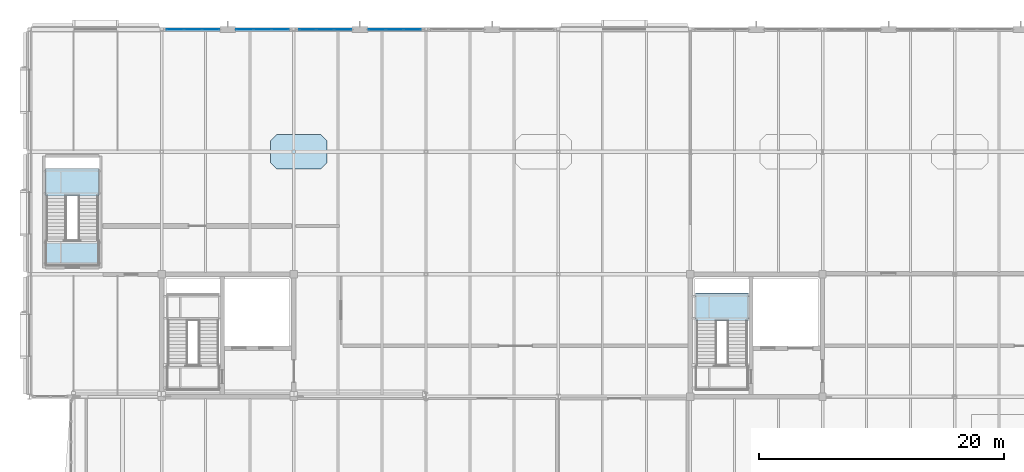
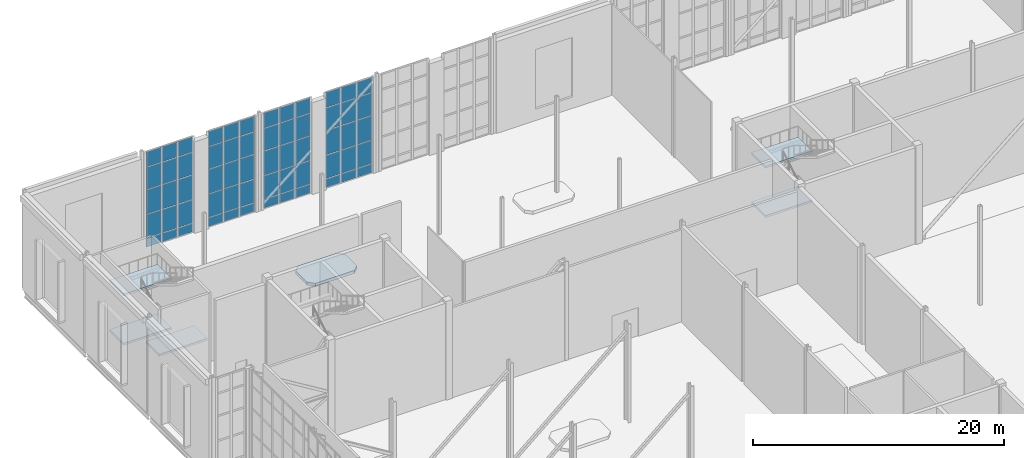
# One storey, part 70 of 100: 60 plates, 6 slabs, 6 elements without a shape of their own.
"""IFC4 building model written with IfcOpenShell, lengths in metres."""

from ifc_helpers import new_model, si_unit, direction, frame, origin, origin_2d, place, context, subcontext, project, spatial, polyline, rectangle, outline, extrude, material, layer, layer_set, type_object, element, aggregate, save


model = new_model("IFC4")

# Units and contexts
model_context = context("Model", 3, precision=1e-05, world=origin(), true_north=direction((0.0, 1.0)))
body_context = subcontext(model_context, "Body", "Model", "MODEL_VIEW")
ifc_project = project(units=[si_unit("LENGTHUNIT", "METRE"), si_unit("AREAUNIT", "SQUARE_METRE"), si_unit("VOLUMEUNIT", "CUBIC_METRE"), si_unit("PLANEANGLEUNIT", "RADIAN"), si_unit("MASSUNIT", "GRAM", prefix="KILO")], contexts=[model_context])

# Site, building, storey
site_placement = place(None, origin())
site = spatial("IfcSite", under=ifc_project, at=site_placement, CompositionType="ELEMENT")
building_placement = place(site_placement, origin())
building = spatial("IfcBuilding", under=site, at=building_placement, Name="Tasgan Crest Museum", CompositionType="ELEMENT")
storey_placement = place(building_placement, frame((0.0, 0.0, 14.39990234375)))
storey = spatial("IfcBuildingStorey", under=building, at=storey_placement, Name="L03", CompositionType="ELEMENT", Elevation=14.39990234375)

# Curtain wall, plates
ifc_material_1 = material(Name="Triple-Glazed Aluminium Curtain Wall", Category="aluminium")
ifc_layer_1 = layer(ifc_material_1, 0.179931640625, Name="CW-GAL-X-96")
ifc_layer_set_1 = layer_set([ifc_layer_1], Name="Triple-Glazed Aluminium Curtain Wall")
curtain_wall_type_1 = type_object("IfcCurtainWallType", Name="CW-GAL-X-96", PredefinedType="NOTDEFINED", material=ifc_layer_set_1)
curtain_wall_1_placement = place(storey_placement, origin())
curtain_wall_1 = element("IfcCurtainWall", 1, at=curtain_wall_1_placement, inside=storey, type_object=curtain_wall_type_1, Name="Curtain wall L03 133", PredefinedType="NOTDEFINED")
ifc_material_2 = material(Name="Insulated Spandrel Glass", Category="glass")
ifc_layer_2 = layer(ifc_material_2, 0.052001953125, Name="CW-PANEL-SPANDREL")
ifc_layer_set_2 = layer_set([ifc_layer_2], Name="Insulated Spandrel Glass")
plate_type_1 = type_object("IfcPlateType", Name="CW-PANEL-SPANDREL", PredefinedType="CURTAIN_PANEL", material=ifc_layer_set_2)
plate_1_placement = place(storey_placement, frame((31.288330078125, 112.0, 0.06005859375), z_axis=(0.0, 0.0, 1.0), x_axis=(-1.0, 0.0, 0.0)))
plate_1 = element("IfcPlate", 2, at=plate_1_placement, type_object=plate_type_1, Name="CW14 panel 1.1", PredefinedType="CURTAIN_PANEL", context=body_context, shape_type="SweptSolid", body=[
    extrude(rectangle(XDim=1.373291015625, YDim=0.028076171875, at=origin_2d()), origin(), (0.0, 0.0, 1.0), 0.81005859375),
])
plate_2_placement = place(storey_placement, frame((29.840087890625, 112.0, 0.06005859375), z_axis=(0.0, 0.0, 1.0), x_axis=(-1.0, 0.0, 0.0)))
plate_2 = element("IfcPlate", 3, at=plate_2_placement, type_object=plate_type_1, Name="CW14 panel 2.1", PredefinedType="CURTAIN_PANEL", context=body_context, shape_type="SweptSolid", body=[
    extrude(rectangle(XDim=1.4033203125, YDim=0.028076171875, at=origin_2d()), origin(), (0.0, 0.0, 1.0), 0.81005859375),
])
plate_3_placement = place(storey_placement, frame((28.3916015625, 112.0, 0.06005859375), z_axis=(0.0, 0.0, 1.0), x_axis=(-1.0, 0.0, 0.0)))
plate_3 = element("IfcPlate", 4, at=plate_3_placement, type_object=plate_type_1, Name="CW14 panel 3.1", PredefinedType="CURTAIN_PANEL", context=body_context, shape_type="SweptSolid", body=[
    extrude(rectangle(XDim=1.373291015625, YDim=0.028076171875, at=origin_2d()), origin(), (0.0, 0.0, 1.0), 0.81005859375),
])

curtain_wall_2_placement = place(storey_placement, origin())
curtain_wall_2 = element("IfcCurtainWall", 5, at=curtain_wall_2_placement, inside=storey, type_object=curtain_wall_type_1, Name="Curtain wall L03 134", PredefinedType="NOTDEFINED")
plate_4_placement = place(storey_placement, frame((25.6083984375, 112.0, 0.06005859375), z_axis=(0.0, 0.0, 1.0), x_axis=(-1.0, 0.0, 0.0)))
plate_4 = element("IfcPlate", 6, at=plate_4_placement, type_object=plate_type_1, Name="CW14 panel 1.1", PredefinedType="CURTAIN_PANEL", context=body_context, shape_type="SweptSolid", body=[
    extrude(rectangle(XDim=1.373291015625, YDim=0.028076171875, at=origin_2d()), origin(), (0.0, 0.0, 1.0), 0.81005859375),
])
plate_5_placement = place(storey_placement, frame((24.159912109375, 112.0, 0.06005859375), z_axis=(0.0, 0.0, 1.0), x_axis=(-1.0, 0.0, 0.0)))
plate_5 = element("IfcPlate", 7, at=plate_5_placement, type_object=plate_type_1, Name="CW14 panel 2.1", PredefinedType="CURTAIN_PANEL", context=body_context, shape_type="SweptSolid", body=[
    extrude(rectangle(XDim=1.4033203125, YDim=0.028076171875, at=origin_2d()), origin(), (0.0, 0.0, 1.0), 0.81005859375),
])
plate_6_placement = place(storey_placement, frame((22.711669921875, 112.0, 0.06005859375), z_axis=(0.0, 0.0, 1.0), x_axis=(-1.0, 0.0, 0.0)))
plate_6 = element("IfcPlate", 8, at=plate_6_placement, type_object=plate_type_1, Name="CW14 panel 3.1", PredefinedType="CURTAIN_PANEL", context=body_context, shape_type="SweptSolid", body=[
    extrude(rectangle(XDim=1.373291015625, YDim=0.028076171875, at=origin_2d()), origin(), (0.0, 0.0, 1.0), 0.81005859375),
])

ifc_material_3 = material(Name="Triple-Glazed Aluminium Curtain Wall", Category="aluminium")
ifc_layer_3 = layer(ifc_material_3, 0.179931640625, Name="CW-CORE-STRIP-96")
ifc_layer_set_3 = layer_set([ifc_layer_3], Name="Triple-Glazed Aluminium Curtain Wall")
curtain_wall_type_2 = type_object("IfcCurtainWallType", Name="CW-CORE-STRIP-96", PredefinedType="NOTDEFINED", material=ifc_layer_set_3)
curtain_wall_3_placement = place(storey_placement, origin())
curtain_wall_3 = element("IfcCurtainWall", 9, at=curtain_wall_3_placement, inside=storey, type_object=curtain_wall_type_2, Name="Curtain wall L03 135", PredefinedType="NOTDEFINED")
plate_7_placement = place(storey_placement, frame((20.48828125, 112.0, 0.06005859375), z_axis=(0.0, 0.0, 1.0), x_axis=(-1.0, 0.0, 0.0)))
plate_7 = element("IfcPlate", 10, at=plate_7_placement, type_object=plate_type_1, Name="CW20 panel 1.1", PredefinedType="CURTAIN_PANEL", context=body_context, shape_type="SweptSolid", body=[
    extrude(rectangle(XDim=1.373291015625, YDim=0.028076171875, at=origin_2d()), origin(), (0.0, 0.0, 1.0), 0.81005859375),
])
plate_8_placement = place(storey_placement, frame((19.0400390625, 112.0, 0.06005859375), z_axis=(0.0, 0.0, 1.0), x_axis=(-1.0, 0.0, 0.0)))
plate_8 = element("IfcPlate", 11, at=plate_8_placement, type_object=plate_type_1, Name="CW20 panel 2.1", PredefinedType="CURTAIN_PANEL", context=body_context, shape_type="SweptSolid", body=[
    extrude(rectangle(XDim=1.4033203125, YDim=0.028076171875, at=origin_2d()), origin(), (0.0, 0.0, 1.0), 0.81005859375),
])
plate_9_placement = place(storey_placement, frame((17.591552734375, 112.0, 0.06005859375), z_axis=(0.0, 0.0, 1.0), x_axis=(-1.0, 0.0, 0.0)))
plate_9 = element("IfcPlate", 12, at=plate_9_placement, type_object=plate_type_1, Name="CW20 panel 3.1", PredefinedType="CURTAIN_PANEL", context=body_context, shape_type="SweptSolid", body=[
    extrude(rectangle(XDim=1.373291015625, YDim=0.028076171875, at=origin_2d()), origin(), (0.0, 0.0, 1.0), 0.81005859375),
])

curtain_wall_4_placement = place(storey_placement, origin())
curtain_wall_4 = element("IfcCurtainWall", 13, at=curtain_wall_4_placement, inside=storey, type_object=curtain_wall_type_2, Name="Curtain wall L03 136", PredefinedType="NOTDEFINED")
plate_10_placement = place(storey_placement, frame((14.808349609375, 112.0, 0.06005859375), z_axis=(0.0, 0.0, 1.0), x_axis=(-1.0, 0.0, 0.0)))
plate_10 = element("IfcPlate", 14, at=plate_10_placement, type_object=plate_type_1, Name="CW20 panel 1.1", PredefinedType="CURTAIN_PANEL", context=body_context, shape_type="SweptSolid", body=[
    extrude(rectangle(XDim=1.373291015625, YDim=0.028076171875, at=origin_2d()), origin(), (0.0, 0.0, 1.0), 0.81005859375),
])
plate_11_placement = place(storey_placement, frame((13.360107421875, 112.0, 0.06005859375), z_axis=(0.0, 0.0, 1.0), x_axis=(-1.0, 0.0, 0.0)))
plate_11 = element("IfcPlate", 15, at=plate_11_placement, type_object=plate_type_1, Name="CW20 panel 2.1", PredefinedType="CURTAIN_PANEL", context=body_context, shape_type="SweptSolid", body=[
    extrude(rectangle(XDim=1.4033203125, YDim=0.028076171875, at=origin_2d()), origin(), (0.0, 0.0, 1.0), 0.81005859375),
])
plate_12_placement = place(storey_placement, frame((11.91162109375, 112.0, 0.06005859375), z_axis=(0.0, 0.0, 1.0), x_axis=(-1.0, 0.0, 0.0)))
plate_12 = element("IfcPlate", 16, at=plate_12_placement, type_object=plate_type_1, Name="CW20 panel 3.1", PredefinedType="CURTAIN_PANEL", context=body_context, shape_type="SweptSolid", body=[
    extrude(rectangle(XDim=1.373291015625, YDim=0.028076171875, at=origin_2d()), origin(), (0.0, 0.0, 1.0), 0.81005859375),
])

# Plate
ifc_material_4 = material(Name="Low-E Triple Glazing", Category="glass")
ifc_layer_4 = layer(ifc_material_4, 0.0439453125, Name="CW-PANEL-TRIPLE")
ifc_layer_set_4 = layer_set([ifc_layer_4], Name="Low-E Triple Glazing")
plate_type_2 = type_object("IfcPlateType", Name="CW-PANEL-TRIPLE", PredefinedType="CURTAIN_PANEL", material=ifc_layer_set_4)
plate_13_placement = place(storey_placement, frame((31.288330078125, 112.0, 0.93017578125), z_axis=(0.0, 0.0, 1.0), x_axis=(-1.0, 0.0, 0.0)))
plate_13 = element("IfcPlate", 17, at=plate_13_placement, type_object=plate_type_2, Name="CW14 panel 1.2", PredefinedType="CURTAIN_PANEL", context=body_context, shape_type="SweptSolid", body=[
    extrude(rectangle(XDim=1.373291015625, YDim=0.028076171875, at=origin_2d()), origin(), (0.0, 0.0, 1.0), 2.239990234375),
])

plate_14_placement = place(storey_placement, frame((31.288330078125, 112.0, 3.22998046875), z_axis=(0.0, 0.0, 1.0), x_axis=(-1.0, 0.0, 0.0)))
plate_14 = element("IfcPlate", 18, at=plate_14_placement, type_object=plate_type_2, Name="CW14 panel 1.3", PredefinedType="CURTAIN_PANEL", context=body_context, shape_type="SweptSolid", body=[
    extrude(rectangle(XDim=1.373291015625, YDim=0.028076171875, at=origin_2d()), origin(), (0.0, 0.0, 1.0), 2.340087890625),
])

plate_15_placement = place(storey_placement, frame((31.288330078125, 112.0, 5.63037109375), z_axis=(0.0, 0.0, 1.0), x_axis=(-1.0, 0.0, 0.0)))
plate_15 = element("IfcPlate", 19, at=plate_15_placement, type_object=plate_type_2, Name="CW14 panel 1.4", PredefinedType="CURTAIN_PANEL", context=body_context, shape_type="SweptSolid", body=[
    extrude(rectangle(XDim=1.373291015625, YDim=0.028076171875, at=origin_2d()), origin(), (0.0, 0.0, 1.0), 2.139892578125),
])

plate_16_placement = place(storey_placement, frame((31.288330078125, 112.0, 7.830078125), z_axis=(0.0, 0.0, 1.0), x_axis=(-1.0, 0.0, 0.0)))
plate_16 = element("IfcPlate", 20, at=plate_16_placement, type_object=plate_type_2, Name="CW14 panel 1.5", PredefinedType="CURTAIN_PANEL", context=body_context, shape_type="SweptSolid", body=[
    extrude(rectangle(XDim=1.373291015625, YDim=0.028076171875, at=origin_2d()), origin(), (0.0, 0.0, 1.0), 1.469970703125),
])

plate_17_placement = place(storey_placement, frame((29.840087890625, 112.0, 0.93017578125), z_axis=(0.0, 0.0, 1.0), x_axis=(-1.0, 0.0, 0.0)))
plate_17 = element("IfcPlate", 21, at=plate_17_placement, type_object=plate_type_2, Name="CW14 panel 2.2", PredefinedType="CURTAIN_PANEL", context=body_context, shape_type="SweptSolid", body=[
    extrude(rectangle(XDim=1.4033203125, YDim=0.028076171875, at=origin_2d()), origin(), (0.0, 0.0, 1.0), 2.239990234375),
])

plate_18_placement = place(storey_placement, frame((29.840087890625, 112.0, 3.22998046875), z_axis=(0.0, 0.0, 1.0), x_axis=(-1.0, 0.0, 0.0)))
plate_18 = element("IfcPlate", 22, at=plate_18_placement, type_object=plate_type_2, Name="CW14 panel 2.3", PredefinedType="CURTAIN_PANEL", context=body_context, shape_type="SweptSolid", body=[
    extrude(rectangle(XDim=1.4033203125, YDim=0.028076171875, at=origin_2d()), origin(), (0.0, 0.0, 1.0), 2.340087890625),
])

plate_19_placement = place(storey_placement, frame((29.840087890625, 112.0, 5.63037109375), z_axis=(0.0, 0.0, 1.0), x_axis=(-1.0, 0.0, 0.0)))
plate_19 = element("IfcPlate", 23, at=plate_19_placement, type_object=plate_type_2, Name="CW14 panel 2.4", PredefinedType="CURTAIN_PANEL", context=body_context, shape_type="SweptSolid", body=[
    extrude(rectangle(XDim=1.4033203125, YDim=0.028076171875, at=origin_2d()), origin(), (0.0, 0.0, 1.0), 2.139892578125),
])

plate_20_placement = place(storey_placement, frame((29.840087890625, 112.0, 7.830078125), z_axis=(0.0, 0.0, 1.0), x_axis=(-1.0, 0.0, 0.0)))
plate_20 = element("IfcPlate", 24, at=plate_20_placement, type_object=plate_type_2, Name="CW14 panel 2.5", PredefinedType="CURTAIN_PANEL", context=body_context, shape_type="SweptSolid", body=[
    extrude(rectangle(XDim=1.4033203125, YDim=0.028076171875, at=origin_2d()), origin(), (0.0, 0.0, 1.0), 1.469970703125),
])

plate_21_placement = place(storey_placement, frame((28.3916015625, 112.0, 0.93017578125), z_axis=(0.0, 0.0, 1.0), x_axis=(-1.0, 0.0, 0.0)))
plate_21 = element("IfcPlate", 25, at=plate_21_placement, type_object=plate_type_2, Name="CW14 panel 3.2", PredefinedType="CURTAIN_PANEL", context=body_context, shape_type="SweptSolid", body=[
    extrude(rectangle(XDim=1.373291015625, YDim=0.028076171875, at=origin_2d()), origin(), (0.0, 0.0, 1.0), 2.239990234375),
])

plate_22_placement = place(storey_placement, frame((28.3916015625, 112.0, 3.22998046875), z_axis=(0.0, 0.0, 1.0), x_axis=(-1.0, 0.0, 0.0)))
plate_22 = element("IfcPlate", 26, at=plate_22_placement, type_object=plate_type_2, Name="CW14 panel 3.3", PredefinedType="CURTAIN_PANEL", context=body_context, shape_type="SweptSolid", body=[
    extrude(rectangle(XDim=1.373291015625, YDim=0.028076171875, at=origin_2d()), origin(), (0.0, 0.0, 1.0), 2.340087890625),
])

plate_23_placement = place(storey_placement, frame((28.3916015625, 112.0, 5.63037109375), z_axis=(0.0, 0.0, 1.0), x_axis=(-1.0, 0.0, 0.0)))
plate_23 = element("IfcPlate", 27, at=plate_23_placement, type_object=plate_type_2, Name="CW14 panel 3.4", PredefinedType="CURTAIN_PANEL", context=body_context, shape_type="SweptSolid", body=[
    extrude(rectangle(XDim=1.373291015625, YDim=0.028076171875, at=origin_2d()), origin(), (0.0, 0.0, 1.0), 2.139892578125),
])

plate_24_placement = place(storey_placement, frame((28.3916015625, 112.0, 7.830078125), z_axis=(0.0, 0.0, 1.0), x_axis=(-1.0, 0.0, 0.0)))
plate_24 = element("IfcPlate", 28, at=plate_24_placement, type_object=plate_type_2, Name="CW14 panel 3.5", PredefinedType="CURTAIN_PANEL", context=body_context, shape_type="SweptSolid", body=[
    extrude(rectangle(XDim=1.373291015625, YDim=0.028076171875, at=origin_2d()), origin(), (0.0, 0.0, 1.0), 1.469970703125),
])

aggregate(curtain_wall_1, [plate_1, plate_13, plate_14, plate_15, plate_16, plate_2, plate_17, plate_18, plate_19, plate_20, plate_3, plate_21, plate_22, plate_23, plate_24])

plate_25_placement = place(storey_placement, frame((25.6083984375, 112.0, 0.93017578125), z_axis=(0.0, 0.0, 1.0), x_axis=(-1.0, 0.0, 0.0)))
plate_25 = element("IfcPlate", 29, at=plate_25_placement, type_object=plate_type_2, Name="CW14 panel 1.2", PredefinedType="CURTAIN_PANEL", context=body_context, shape_type="SweptSolid", body=[
    extrude(rectangle(XDim=1.373291015625, YDim=0.028076171875, at=origin_2d()), origin(), (0.0, 0.0, 1.0), 2.239990234375),
])

plate_26_placement = place(storey_placement, frame((25.6083984375, 112.0, 3.22998046875), z_axis=(0.0, 0.0, 1.0), x_axis=(-1.0, 0.0, 0.0)))
plate_26 = element("IfcPlate", 30, at=plate_26_placement, type_object=plate_type_2, Name="CW14 panel 1.3", PredefinedType="CURTAIN_PANEL", context=body_context, shape_type="SweptSolid", body=[
    extrude(rectangle(XDim=1.373291015625, YDim=0.028076171875, at=origin_2d()), origin(), (0.0, 0.0, 1.0), 2.340087890625),
])

plate_27_placement = place(storey_placement, frame((25.6083984375, 112.0, 5.63037109375), z_axis=(0.0, 0.0, 1.0), x_axis=(-1.0, 0.0, 0.0)))
plate_27 = element("IfcPlate", 31, at=plate_27_placement, type_object=plate_type_2, Name="CW14 panel 1.4", PredefinedType="CURTAIN_PANEL", context=body_context, shape_type="SweptSolid", body=[
    extrude(rectangle(XDim=1.373291015625, YDim=0.028076171875, at=origin_2d()), origin(), (0.0, 0.0, 1.0), 2.139892578125),
])

plate_28_placement = place(storey_placement, frame((25.6083984375, 112.0, 7.830078125), z_axis=(0.0, 0.0, 1.0), x_axis=(-1.0, 0.0, 0.0)))
plate_28 = element("IfcPlate", 32, at=plate_28_placement, type_object=plate_type_2, Name="CW14 panel 1.5", PredefinedType="CURTAIN_PANEL", context=body_context, shape_type="SweptSolid", body=[
    extrude(rectangle(XDim=1.373291015625, YDim=0.028076171875, at=origin_2d()), origin(), (0.0, 0.0, 1.0), 1.469970703125),
])

plate_29_placement = place(storey_placement, frame((24.159912109375, 112.0, 0.93017578125), z_axis=(0.0, 0.0, 1.0), x_axis=(-1.0, 0.0, 0.0)))
plate_29 = element("IfcPlate", 33, at=plate_29_placement, type_object=plate_type_2, Name="CW14 panel 2.2", PredefinedType="CURTAIN_PANEL", context=body_context, shape_type="SweptSolid", body=[
    extrude(rectangle(XDim=1.4033203125, YDim=0.028076171875, at=origin_2d()), origin(), (0.0, 0.0, 1.0), 2.239990234375),
])

plate_30_placement = place(storey_placement, frame((24.159912109375, 112.0, 3.22998046875), z_axis=(0.0, 0.0, 1.0), x_axis=(-1.0, 0.0, 0.0)))
plate_30 = element("IfcPlate", 34, at=plate_30_placement, type_object=plate_type_2, Name="CW14 panel 2.3", PredefinedType="CURTAIN_PANEL", context=body_context, shape_type="SweptSolid", body=[
    extrude(rectangle(XDim=1.4033203125, YDim=0.028076171875, at=origin_2d()), origin(), (0.0, 0.0, 1.0), 2.340087890625),
])

plate_31_placement = place(storey_placement, frame((24.159912109375, 112.0, 5.63037109375), z_axis=(0.0, 0.0, 1.0), x_axis=(-1.0, 0.0, 0.0)))
plate_31 = element("IfcPlate", 35, at=plate_31_placement, type_object=plate_type_2, Name="CW14 panel 2.4", PredefinedType="CURTAIN_PANEL", context=body_context, shape_type="SweptSolid", body=[
    extrude(rectangle(XDim=1.4033203125, YDim=0.028076171875, at=origin_2d()), origin(), (0.0, 0.0, 1.0), 2.139892578125),
])

plate_32_placement = place(storey_placement, frame((24.159912109375, 112.0, 7.830078125), z_axis=(0.0, 0.0, 1.0), x_axis=(-1.0, 0.0, 0.0)))
plate_32 = element("IfcPlate", 36, at=plate_32_placement, type_object=plate_type_2, Name="CW14 panel 2.5", PredefinedType="CURTAIN_PANEL", context=body_context, shape_type="SweptSolid", body=[
    extrude(rectangle(XDim=1.4033203125, YDim=0.028076171875, at=origin_2d()), origin(), (0.0, 0.0, 1.0), 1.469970703125),
])

plate_33_placement = place(storey_placement, frame((22.711669921875, 112.0, 0.93017578125), z_axis=(0.0, 0.0, 1.0), x_axis=(-1.0, 0.0, 0.0)))
plate_33 = element("IfcPlate", 37, at=plate_33_placement, type_object=plate_type_2, Name="CW14 panel 3.2", PredefinedType="CURTAIN_PANEL", context=body_context, shape_type="SweptSolid", body=[
    extrude(rectangle(XDim=1.373291015625, YDim=0.028076171875, at=origin_2d()), origin(), (0.0, 0.0, 1.0), 2.239990234375),
])

plate_34_placement = place(storey_placement, frame((22.711669921875, 112.0, 3.22998046875), z_axis=(0.0, 0.0, 1.0), x_axis=(-1.0, 0.0, 0.0)))
plate_34 = element("IfcPlate", 38, at=plate_34_placement, type_object=plate_type_2, Name="CW14 panel 3.3", PredefinedType="CURTAIN_PANEL", context=body_context, shape_type="SweptSolid", body=[
    extrude(rectangle(XDim=1.373291015625, YDim=0.028076171875, at=origin_2d()), origin(), (0.0, 0.0, 1.0), 2.340087890625),
])

plate_35_placement = place(storey_placement, frame((22.711669921875, 112.0, 5.63037109375), z_axis=(0.0, 0.0, 1.0), x_axis=(-1.0, 0.0, 0.0)))
plate_35 = element("IfcPlate", 39, at=plate_35_placement, type_object=plate_type_2, Name="CW14 panel 3.4", PredefinedType="CURTAIN_PANEL", context=body_context, shape_type="SweptSolid", body=[
    extrude(rectangle(XDim=1.373291015625, YDim=0.028076171875, at=origin_2d()), origin(), (0.0, 0.0, 1.0), 2.139892578125),
])

plate_36_placement = place(storey_placement, frame((22.711669921875, 112.0, 7.830078125), z_axis=(0.0, 0.0, 1.0), x_axis=(-1.0, 0.0, 0.0)))
plate_36 = element("IfcPlate", 40, at=plate_36_placement, type_object=plate_type_2, Name="CW14 panel 3.5", PredefinedType="CURTAIN_PANEL", context=body_context, shape_type="SweptSolid", body=[
    extrude(rectangle(XDim=1.373291015625, YDim=0.028076171875, at=origin_2d()), origin(), (0.0, 0.0, 1.0), 1.469970703125),
])

aggregate(curtain_wall_2, [plate_4, plate_25, plate_26, plate_27, plate_28, plate_5, plate_29, plate_30, plate_31, plate_32, plate_6, plate_33, plate_34, plate_35, plate_36])

plate_37_placement = place(storey_placement, frame((20.48828125, 112.0, 0.93017578125), z_axis=(0.0, 0.0, 1.0), x_axis=(-1.0, 0.0, 0.0)))
plate_37 = element("IfcPlate", 41, at=plate_37_placement, type_object=plate_type_2, Name="CW20 panel 1.2", PredefinedType="CURTAIN_PANEL", context=body_context, shape_type="SweptSolid", body=[
    extrude(rectangle(XDim=1.373291015625, YDim=0.028076171875, at=origin_2d()), origin(), (0.0, 0.0, 1.0), 2.239990234375),
])

plate_38_placement = place(storey_placement, frame((20.48828125, 112.0, 3.22998046875), z_axis=(0.0, 0.0, 1.0), x_axis=(-1.0, 0.0, 0.0)))
plate_38 = element("IfcPlate", 42, at=plate_38_placement, type_object=plate_type_2, Name="CW20 panel 1.3", PredefinedType="CURTAIN_PANEL", context=body_context, shape_type="SweptSolid", body=[
    extrude(rectangle(XDim=1.373291015625, YDim=0.028076171875, at=origin_2d()), origin(), (0.0, 0.0, 1.0), 2.340087890625),
])

plate_39_placement = place(storey_placement, frame((20.48828125, 112.0, 5.63037109375), z_axis=(0.0, 0.0, 1.0), x_axis=(-1.0, 0.0, 0.0)))
plate_39 = element("IfcPlate", 43, at=plate_39_placement, type_object=plate_type_2, Name="CW20 panel 1.4", PredefinedType="CURTAIN_PANEL", context=body_context, shape_type="SweptSolid", body=[
    extrude(rectangle(XDim=1.373291015625, YDim=0.028076171875, at=origin_2d()), origin(), (0.0, 0.0, 1.0), 2.139892578125),
])

plate_40_placement = place(storey_placement, frame((20.48828125, 112.0, 7.830078125), z_axis=(0.0, 0.0, 1.0), x_axis=(-1.0, 0.0, 0.0)))
plate_40 = element("IfcPlate", 44, at=plate_40_placement, type_object=plate_type_2, Name="CW20 panel 1.5", PredefinedType="CURTAIN_PANEL", context=body_context, shape_type="SweptSolid", body=[
    extrude(rectangle(XDim=1.373291015625, YDim=0.028076171875, at=origin_2d()), origin(), (0.0, 0.0, 1.0), 1.469970703125),
])

plate_41_placement = place(storey_placement, frame((19.0400390625, 112.0, 0.93017578125), z_axis=(0.0, 0.0, 1.0), x_axis=(-1.0, 0.0, 0.0)))
plate_41 = element("IfcPlate", 45, at=plate_41_placement, type_object=plate_type_2, Name="CW20 panel 2.2", PredefinedType="CURTAIN_PANEL", context=body_context, shape_type="SweptSolid", body=[
    extrude(rectangle(XDim=1.4033203125, YDim=0.028076171875, at=origin_2d()), origin(), (0.0, 0.0, 1.0), 2.239990234375),
])

plate_42_placement = place(storey_placement, frame((19.0400390625, 112.0, 3.22998046875), z_axis=(0.0, 0.0, 1.0), x_axis=(-1.0, 0.0, 0.0)))
plate_42 = element("IfcPlate", 46, at=plate_42_placement, type_object=plate_type_2, Name="CW20 panel 2.3", PredefinedType="CURTAIN_PANEL", context=body_context, shape_type="SweptSolid", body=[
    extrude(rectangle(XDim=1.4033203125, YDim=0.028076171875, at=origin_2d()), origin(), (0.0, 0.0, 1.0), 2.340087890625),
])

plate_43_placement = place(storey_placement, frame((19.0400390625, 112.0, 5.63037109375), z_axis=(0.0, 0.0, 1.0), x_axis=(-1.0, 0.0, 0.0)))
plate_43 = element("IfcPlate", 47, at=plate_43_placement, type_object=plate_type_2, Name="CW20 panel 2.4", PredefinedType="CURTAIN_PANEL", context=body_context, shape_type="SweptSolid", body=[
    extrude(rectangle(XDim=1.4033203125, YDim=0.028076171875, at=origin_2d()), origin(), (0.0, 0.0, 1.0), 2.139892578125),
])

plate_44_placement = place(storey_placement, frame((19.0400390625, 112.0, 7.830078125), z_axis=(0.0, 0.0, 1.0), x_axis=(-1.0, 0.0, 0.0)))
plate_44 = element("IfcPlate", 48, at=plate_44_placement, type_object=plate_type_2, Name="CW20 panel 2.5", PredefinedType="CURTAIN_PANEL", context=body_context, shape_type="SweptSolid", body=[
    extrude(rectangle(XDim=1.4033203125, YDim=0.028076171875, at=origin_2d()), origin(), (0.0, 0.0, 1.0), 1.469970703125),
])

plate_45_placement = place(storey_placement, frame((17.591552734375, 112.0, 0.93017578125), z_axis=(0.0, 0.0, 1.0), x_axis=(-1.0, 0.0, 0.0)))
plate_45 = element("IfcPlate", 49, at=plate_45_placement, type_object=plate_type_2, Name="CW20 panel 3.2", PredefinedType="CURTAIN_PANEL", context=body_context, shape_type="SweptSolid", body=[
    extrude(rectangle(XDim=1.373291015625, YDim=0.028076171875, at=origin_2d()), origin(), (0.0, 0.0, 1.0), 2.239990234375),
])

plate_46_placement = place(storey_placement, frame((17.591552734375, 112.0, 3.22998046875), z_axis=(0.0, 0.0, 1.0), x_axis=(-1.0, 0.0, 0.0)))
plate_46 = element("IfcPlate", 50, at=plate_46_placement, type_object=plate_type_2, Name="CW20 panel 3.3", PredefinedType="CURTAIN_PANEL", context=body_context, shape_type="SweptSolid", body=[
    extrude(rectangle(XDim=1.373291015625, YDim=0.028076171875, at=origin_2d()), origin(), (0.0, 0.0, 1.0), 2.340087890625),
])

plate_47_placement = place(storey_placement, frame((17.591552734375, 112.0, 5.63037109375), z_axis=(0.0, 0.0, 1.0), x_axis=(-1.0, 0.0, 0.0)))
plate_47 = element("IfcPlate", 51, at=plate_47_placement, type_object=plate_type_2, Name="CW20 panel 3.4", PredefinedType="CURTAIN_PANEL", context=body_context, shape_type="SweptSolid", body=[
    extrude(rectangle(XDim=1.373291015625, YDim=0.028076171875, at=origin_2d()), origin(), (0.0, 0.0, 1.0), 2.139892578125),
])

plate_48_placement = place(storey_placement, frame((17.591552734375, 112.0, 7.830078125), z_axis=(0.0, 0.0, 1.0), x_axis=(-1.0, 0.0, 0.0)))
plate_48 = element("IfcPlate", 52, at=plate_48_placement, type_object=plate_type_2, Name="CW20 panel 3.5", PredefinedType="CURTAIN_PANEL", context=body_context, shape_type="SweptSolid", body=[
    extrude(rectangle(XDim=1.373291015625, YDim=0.028076171875, at=origin_2d()), origin(), (0.0, 0.0, 1.0), 1.469970703125),
])

aggregate(curtain_wall_3, [plate_7, plate_37, plate_38, plate_39, plate_40, plate_8, plate_41, plate_42, plate_43, plate_44, plate_9, plate_45, plate_46, plate_47, plate_48])

plate_49_placement = place(storey_placement, frame((14.808349609375, 112.0, 0.93017578125), z_axis=(0.0, 0.0, 1.0), x_axis=(-1.0, 0.0, 0.0)))
plate_49 = element("IfcPlate", 53, at=plate_49_placement, type_object=plate_type_2, Name="CW20 panel 1.2", PredefinedType="CURTAIN_PANEL", context=body_context, shape_type="SweptSolid", body=[
    extrude(rectangle(XDim=1.373291015625, YDim=0.028076171875, at=origin_2d()), origin(), (0.0, 0.0, 1.0), 2.239990234375),
])

plate_50_placement = place(storey_placement, frame((14.808349609375, 112.0, 3.22998046875), z_axis=(0.0, 0.0, 1.0), x_axis=(-1.0, 0.0, 0.0)))
plate_50 = element("IfcPlate", 54, at=plate_50_placement, type_object=plate_type_2, Name="CW20 panel 1.3", PredefinedType="CURTAIN_PANEL", context=body_context, shape_type="SweptSolid", body=[
    extrude(rectangle(XDim=1.373291015625, YDim=0.028076171875, at=origin_2d()), origin(), (0.0, 0.0, 1.0), 2.340087890625),
])

plate_51_placement = place(storey_placement, frame((14.808349609375, 112.0, 5.63037109375), z_axis=(0.0, 0.0, 1.0), x_axis=(-1.0, 0.0, 0.0)))
plate_51 = element("IfcPlate", 55, at=plate_51_placement, type_object=plate_type_2, Name="CW20 panel 1.4", PredefinedType="CURTAIN_PANEL", context=body_context, shape_type="SweptSolid", body=[
    extrude(rectangle(XDim=1.373291015625, YDim=0.028076171875, at=origin_2d()), origin(), (0.0, 0.0, 1.0), 2.139892578125),
])

plate_52_placement = place(storey_placement, frame((14.808349609375, 112.0, 7.830078125), z_axis=(0.0, 0.0, 1.0), x_axis=(-1.0, 0.0, 0.0)))
plate_52 = element("IfcPlate", 56, at=plate_52_placement, type_object=plate_type_2, Name="CW20 panel 1.5", PredefinedType="CURTAIN_PANEL", context=body_context, shape_type="SweptSolid", body=[
    extrude(rectangle(XDim=1.373291015625, YDim=0.028076171875, at=origin_2d()), origin(), (0.0, 0.0, 1.0), 1.469970703125),
])

plate_53_placement = place(storey_placement, frame((13.360107421875, 112.0, 0.93017578125), z_axis=(0.0, 0.0, 1.0), x_axis=(-1.0, 0.0, 0.0)))
plate_53 = element("IfcPlate", 57, at=plate_53_placement, type_object=plate_type_2, Name="CW20 panel 2.2", PredefinedType="CURTAIN_PANEL", context=body_context, shape_type="SweptSolid", body=[
    extrude(rectangle(XDim=1.4033203125, YDim=0.028076171875, at=origin_2d()), origin(), (0.0, 0.0, 1.0), 2.239990234375),
])

plate_54_placement = place(storey_placement, frame((13.360107421875, 112.0, 3.22998046875), z_axis=(0.0, 0.0, 1.0), x_axis=(-1.0, 0.0, 0.0)))
plate_54 = element("IfcPlate", 58, at=plate_54_placement, type_object=plate_type_2, Name="CW20 panel 2.3", PredefinedType="CURTAIN_PANEL", context=body_context, shape_type="SweptSolid", body=[
    extrude(rectangle(XDim=1.4033203125, YDim=0.028076171875, at=origin_2d()), origin(), (0.0, 0.0, 1.0), 2.340087890625),
])

plate_55_placement = place(storey_placement, frame((13.360107421875, 112.0, 5.63037109375), z_axis=(0.0, 0.0, 1.0), x_axis=(-1.0, 0.0, 0.0)))
plate_55 = element("IfcPlate", 59, at=plate_55_placement, type_object=plate_type_2, Name="CW20 panel 2.4", PredefinedType="CURTAIN_PANEL", context=body_context, shape_type="SweptSolid", body=[
    extrude(rectangle(XDim=1.4033203125, YDim=0.028076171875, at=origin_2d()), origin(), (0.0, 0.0, 1.0), 2.139892578125),
])

plate_56_placement = place(storey_placement, frame((13.360107421875, 112.0, 7.830078125), z_axis=(0.0, 0.0, 1.0), x_axis=(-1.0, 0.0, 0.0)))
plate_56 = element("IfcPlate", 60, at=plate_56_placement, type_object=plate_type_2, Name="CW20 panel 2.5", PredefinedType="CURTAIN_PANEL", context=body_context, shape_type="SweptSolid", body=[
    extrude(rectangle(XDim=1.4033203125, YDim=0.028076171875, at=origin_2d()), origin(), (0.0, 0.0, 1.0), 1.469970703125),
])

plate_57_placement = place(storey_placement, frame((11.91162109375, 112.0, 0.93017578125), z_axis=(0.0, 0.0, 1.0), x_axis=(-1.0, 0.0, 0.0)))
plate_57 = element("IfcPlate", 61, at=plate_57_placement, type_object=plate_type_2, Name="CW20 panel 3.2", PredefinedType="CURTAIN_PANEL", context=body_context, shape_type="SweptSolid", body=[
    extrude(rectangle(XDim=1.373291015625, YDim=0.028076171875, at=origin_2d()), origin(), (0.0, 0.0, 1.0), 2.239990234375),
])

plate_58_placement = place(storey_placement, frame((11.91162109375, 112.0, 3.22998046875), z_axis=(0.0, 0.0, 1.0), x_axis=(-1.0, 0.0, 0.0)))
plate_58 = element("IfcPlate", 62, at=plate_58_placement, type_object=plate_type_2, Name="CW20 panel 3.3", PredefinedType="CURTAIN_PANEL", context=body_context, shape_type="SweptSolid", body=[
    extrude(rectangle(XDim=1.373291015625, YDim=0.028076171875, at=origin_2d()), origin(), (0.0, 0.0, 1.0), 2.340087890625),
])

plate_59_placement = place(storey_placement, frame((11.91162109375, 112.0, 5.63037109375), z_axis=(0.0, 0.0, 1.0), x_axis=(-1.0, 0.0, 0.0)))
plate_59 = element("IfcPlate", 63, at=plate_59_placement, type_object=plate_type_2, Name="CW20 panel 3.4", PredefinedType="CURTAIN_PANEL", context=body_context, shape_type="SweptSolid", body=[
    extrude(rectangle(XDim=1.373291015625, YDim=0.028076171875, at=origin_2d()), origin(), (0.0, 0.0, 1.0), 2.139892578125),
])

plate_60_placement = place(storey_placement, frame((11.91162109375, 112.0, 7.830078125), z_axis=(0.0, 0.0, 1.0), x_axis=(-1.0, 0.0, 0.0)))
plate_60 = element("IfcPlate", 64, at=plate_60_placement, type_object=plate_type_2, Name="CW20 panel 3.5", PredefinedType="CURTAIN_PANEL", context=body_context, shape_type="SweptSolid", body=[
    extrude(rectangle(XDim=1.373291015625, YDim=0.028076171875, at=origin_2d()), origin(), (0.0, 0.0, 1.0), 1.469970703125),
])

aggregate(curtain_wall_4, [plate_10, plate_49, plate_50, plate_51, plate_52, plate_11, plate_53, plate_54, plate_55, plate_56, plate_12, plate_57, plate_58, plate_59, plate_60])

# Slab
ifc_material_5 = material(Name="Concrete C35/45", Category="concrete")
ifc_layer_5 = layer(ifc_material_5, 0.2900390625, Name="SL-DAIS-T09")
ifc_layer_set_5 = layer_set([ifc_layer_5], Name="Concrete C35/45")
slab_type_1 = type_object("IfcSlabType", Name="SL-DAIS-T09", PredefinedType="FLOOR", material=ifc_layer_set_5)
slab_1_placement = place(storey_placement, origin())
element("IfcSlab", 65, at=slab_1_placement, inside=storey, type_object=slab_type_1, Name="Exhibition specimen dais L03-29", PredefinedType="FLOOR", context=body_context, shape_type="SweptSolid", body=[
    extrude(outline(polyline([(20.199951171875, 100.60009765625), (23.800048828125, 100.60009765625), (24.300048828125, 101.10009765625), (24.300048828125, 102.89990234375), (23.800048828125, 103.39990234375), (20.199951171875, 103.39990234375), (19.699951171875, 102.89990234375), (19.699951171875, 101.10009765625), (20.199951171875, 100.60009765625)])), origin(), (0.0, 0.0, 1.0), 0.2900390625),
])

# Stair, slabs
ifc_material_6 = material(Name="Concrete C35/45", Category="concrete")
stair_type = type_object("IfcStairType", Name="ST-CORE-96", PredefinedType="HALF_TURN_STAIR", material=ifc_material_6)
stair_1_placement = place(storey_placement, origin())
stair_1 = element("IfcStair", 66, at=stair_1_placement, inside=storey, type_object=stair_type, Name="Stair ST-NC-L03 L03", PredefinedType="HALF_TURN_STAIR")
ifc_material_7 = material(Name="Concrete C35/45", Category="concrete")
ifc_layer_6 = layer(ifc_material_7, 0.199951171875, Name="SL-LAND-200")
ifc_layer_set_6 = layer_set([ifc_layer_6], Name="Concrete C35/45")
slab_type_2 = type_object("IfcSlabType", Name="SL-LAND-200", PredefinedType="LANDING", material=ifc_layer_set_6)
slab_2_placement = place(storey_placement, frame((0.0, 0.0, 2.2001953125)))
slab_2 = element("IfcSlab", 67, at=slab_2_placement, type_object=slab_type_2, Name="ST-NC-L03 landing 1", PredefinedType="LANDING", context=body_context, shape_type="SweptSolid", body=[
    extrude(outline(polyline([(54.419921875, 88.205078125), (58.72998046875, 88.205078125), (58.72998046875, 90.455078125), (54.419921875, 90.455078125), (54.419921875, 88.205078125)])), origin(), (0.0, 0.0, 1.0), 0.199951171875),
])
slab_3_placement = place(storey_placement, frame((0.0, 0.0, 7.0)))
slab_3 = element("IfcSlab", 68, at=slab_3_placement, type_object=slab_type_2, Name="ST-NC-L03 landing 3", PredefinedType="LANDING", context=body_context, shape_type="SweptSolid", body=[
    extrude(outline(polyline([(54.419921875, 88.205078125), (58.72998046875, 88.205078125), (58.72998046875, 90.455078125), (54.419921875, 90.455078125), (54.419921875, 88.205078125)])), origin(), (0.0, 0.0, 1.0), 0.2001953125),
])
aggregate(stair_1, [slab_2, slab_3])

stair_2_placement = place(storey_placement, origin())
stair_2 = element("IfcStair", 69, at=stair_2_placement, inside=storey, type_object=stair_type, Name="Stair ST-GW-L03 L03", PredefinedType="HALF_TURN_STAIR")
slab_4_placement = place(storey_placement, frame((0.0, 0.0, 2.2001953125)))
slab_4 = element("IfcSlab", 70, at=slab_4_placement, type_object=slab_type_2, Name="ST-GW-L03 landing 1", PredefinedType="LANDING", context=body_context, shape_type="SweptSolid", body=[
    extrude(outline(polyline([(1.300048828125, 98.405029296875), (5.699951171875, 98.405029296875), (5.699951171875, 100.655029296875), (1.300048828125, 100.655029296875), (1.300048828125, 98.405029296875)])), origin(), (0.0, 0.0, 1.0), 0.199951171875),
])
slab_5_placement = place(storey_placement, frame((0.0, 0.0, 4.60009765625)))
slab_5 = element("IfcSlab", 71, at=slab_5_placement, type_object=slab_type_2, Name="ST-GW-L03 landing 2", PredefinedType="LANDING", context=body_context, shape_type="SweptSolid", body=[
    extrude(outline(polyline([(1.300048828125, 92.699951171875), (5.699951171875, 92.699951171875), (5.699951171875, 94.800048828125), (1.300048828125, 94.800048828125), (1.300048828125, 92.699951171875)])), origin(), (0.0, 0.0, 1.0), 0.199951171875),
])
slab_6_placement = place(storey_placement, frame((0.0, 0.0, 7.0)))
slab_6 = element("IfcSlab", 72, at=slab_6_placement, type_object=slab_type_2, Name="ST-GW-L03 landing 3", PredefinedType="LANDING", context=body_context, shape_type="SweptSolid", body=[
    extrude(outline(polyline([(1.300048828125, 98.405029296875), (5.699951171875, 98.405029296875), (5.699951171875, 100.655029296875), (1.300048828125, 100.655029296875), (1.300048828125, 98.405029296875)])), origin(), (0.0, 0.0, 1.0), 0.2001953125),
])
aggregate(stair_2, [slab_4, slab_5, slab_6])

save(model, "model.ifc")
